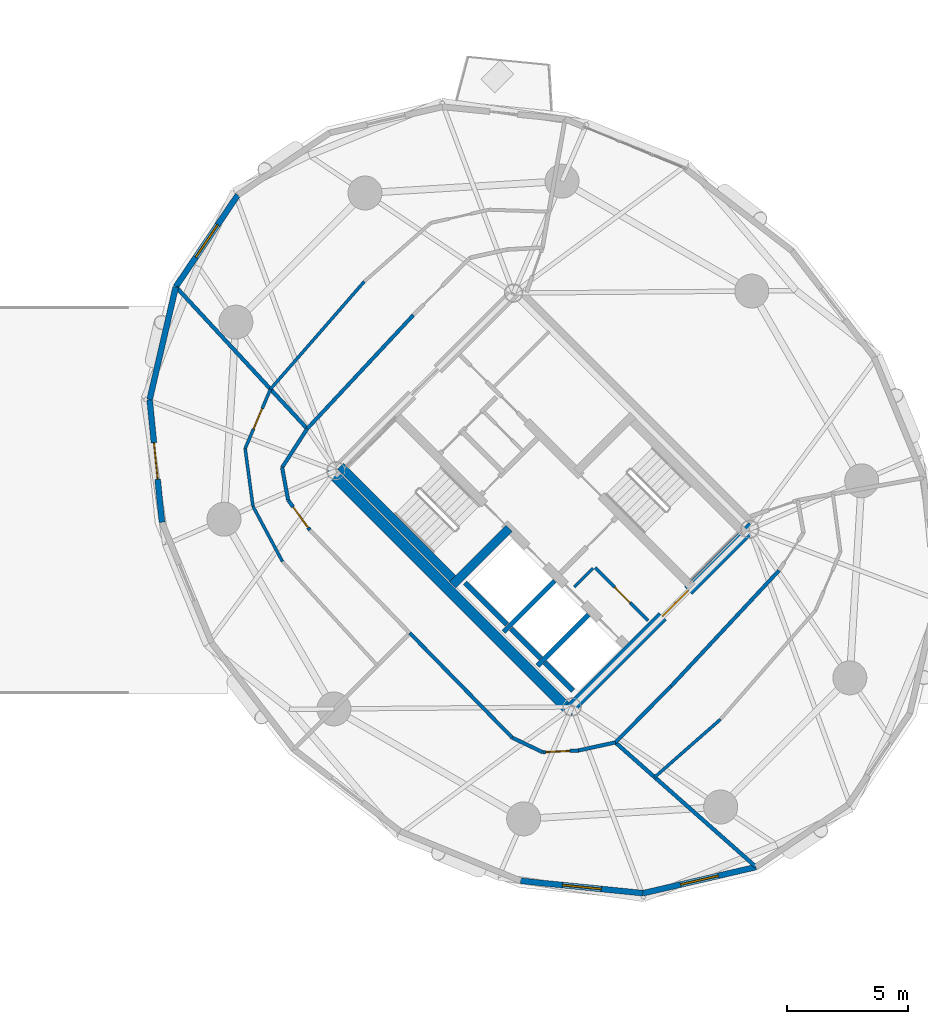
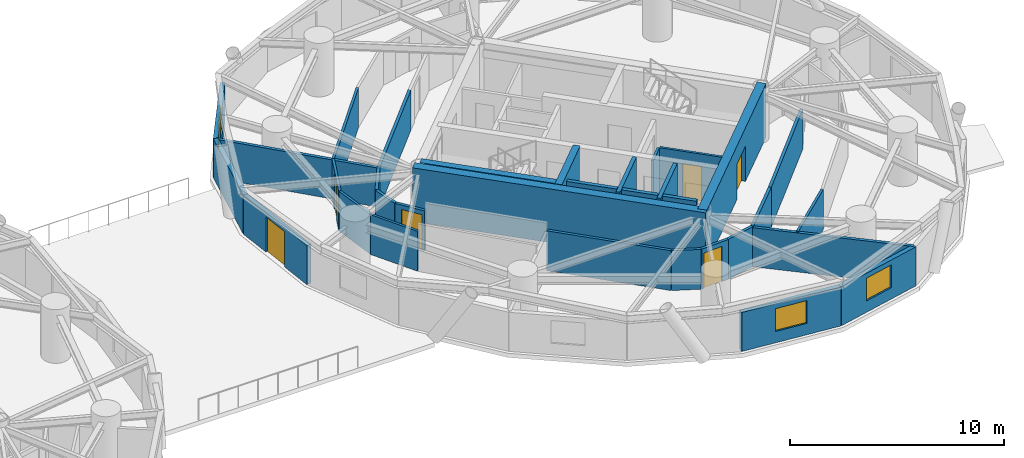
# One storey, part 12 of 19: 33 walls, 6 doors, 3 windows, 9 openings.
"""IFC4 building model written with IfcOpenShell, lengths in metres."""

import ifcopenshell
import ifcopenshell.guid

model = None  # the IFC model being written
_history = None  # IfcOwnerHistory: only IFC2X3 demands one
_inside = {}  # id of a spatial element -> (the spatial element, [elements in it])
_under = {}  # id of a project, library or spatial element -> (it, [spatial elements below it])
_declared = {}  # id of a project -> (the project, [libraries it declares])
_typed = {}  # id of a type object -> (the type object, [elements of that type])
_made_of = {}  # id of a material, layer set ... -> (it, [elements and type objects made of it])


def new_model(schema):
    """Start an empty IFC model of exactly this schema.

    Asked for "IFC4X3", IfcOpenShell would pick the latest addendum, in which some entities
    have other attributes; the version numbers below select the first issue.
    IFC2X3 requires an IfcOwnerHistory on every rooted entity: one is made here for all.
    """
    global model, _history
    if schema == "IFC4X3":
        model = ifcopenshell.file(schema_version=(4, 3, 0, 0))
    else:
        model = ifcopenshell.file(schema=schema)
    _inside.clear()
    _under.clear()
    _declared.clear()
    _typed.clear()
    _made_of.clear()
    _history = None
    if model.schema == "IFC2X3":
        org = make("IfcOrganization", Name="unknown")
        user = make(
            "IfcPersonAndOrganization",
            ThePerson=make("IfcPerson", FamilyName="unknown"),
            TheOrganization=org,
        )
        app = make(
            "IfcApplication",
            ApplicationDeveloper=org,
            Version="unknown",
            ApplicationFullName="unknown",
            ApplicationIdentifier="unknown",
        )
        _history = make(
            "IfcOwnerHistory",
            OwningUser=user,
            OwningApplication=app,
            ChangeAction="ADDED",
            CreationDate=0,
        )
    return model


def make(cls, **values):
    """One entity of the class cls with the attributes given. An attribute that is None is left unset."""
    return model.create_entity(
        cls, **{name: value for name, value in values.items() if value is not None}
    )


def rooted(cls, **values):
    """An entity with a GlobalId (a new one), such as an element, a storey or a relation."""
    return make(cls, GlobalId=ifcopenshell.guid.new(), OwnerHistory=_history, **values)


def si_unit(unit_type, name, prefix=None):
    """IfcSIUnit, for example si_unit("LENGTHUNIT", "METRE", prefix="MILLI")."""
    return make("IfcSIUnit", UnitType=unit_type, Prefix=prefix, Name=name)


def assignment(units):
    """IfcUnitAssignment: the units of a project."""
    return None if units is None else make("IfcUnitAssignment", Units=units)


def point(xyz):
    """IfcCartesianPoint."""
    return None if xyz is None else make("IfcCartesianPoint", Coordinates=xyz)


def direction(xyz):
    """IfcDirection."""
    return None if xyz is None else make("IfcDirection", DirectionRatios=xyz)


def frame(location, z_axis=None, x_axis=None):
    """IfcAxis2Placement3D, a coordinate frame: its origin and axes. An axis left out is left unset."""
    return make(
        "IfcAxis2Placement3D",
        Location=point(location),
        Axis=direction(z_axis),
        RefDirection=direction(x_axis),
    )


def frame_2d(location, x_axis=None):
    """IfcAxis2Placement2D, a coordinate frame in the plane: its origin and x axis."""
    return make(
        "IfcAxis2Placement2D", Location=point(location), RefDirection=direction(x_axis)
    )


def origin():
    """The frame at (0, 0, 0) with its axes left unset."""
    return frame((0.0, 0.0, 0.0))


def place(relative_to, where):
    """IfcLocalPlacement: puts the frame where relative to a parent placement (None: the world)."""
    return make(
        "IfcLocalPlacement", PlacementRelTo=relative_to, RelativePlacement=where
    )


def context(
    kind, dimensions, precision=None, world=None, true_north=None, identifier=None
):
    """IfcGeometricRepresentationContext, for example the 3D "Model" context."""
    return make(
        "IfcGeometricRepresentationContext",
        ContextIdentifier=identifier,
        ContextType=kind,
        CoordinateSpaceDimension=dimensions,
        Precision=precision,
        WorldCoordinateSystem=world,
        TrueNorth=true_north,
    )


def subcontext(parent, identifier, kind, view, scale=None):
    """IfcGeometricRepresentationSubContext, for example "Body" below "Model"."""
    return make(
        "IfcGeometricRepresentationSubContext",
        ContextIdentifier=identifier,
        ContextType=kind,
        ParentContext=parent,
        TargetScale=scale,
        TargetView=view,
    )


def project(units=None, contexts=None):
    """IfcProject with its units and contexts."""
    return rooted(
        "IfcProject",
        Name="project",
        RepresentationContexts=contexts,
        UnitsInContext=assignment(units),
    )


def spatial(cls, under=None, at=None, **own):
    """A site, building, storey or space (cls), placed at a placement, below another one or the project."""
    s = rooted(cls, ObjectPlacement=at, **own)
    if under is not None:
        _under.setdefault(under.id(), (under, []))[1].append(s)
    return s


def profile(cls, at=None, kind="AREA", **sizes):
    """A parametric profile (cls). Its sizes go by their IFC names, for example OverallWidth=200.0."""
    return make(cls, ProfileType=kind, Position=at, **sizes)


def rectangle(**sizes):
    """IfcRectangleProfileDef."""
    return profile("IfcRectangleProfileDef", **sizes)


def extrude(swept, where, along, depth):
    """IfcExtrudedAreaSolid: the profile swept, set in the frame where, extruded along a direction by depth."""
    return make(
        "IfcExtrudedAreaSolid",
        SweptArea=swept,
        Position=where,
        ExtrudedDirection=direction(along),
        Depth=depth,
    )


def shape(context_of_items, identifier, shape_type, items):
    """IfcShapeRepresentation: the items that make up one representation, for example the "Body"."""
    return make(
        "IfcShapeRepresentation",
        ContextOfItems=context_of_items,
        RepresentationIdentifier=identifier,
        RepresentationType=shape_type,
        Items=items,
    )


def source(mapping_origin, context_of_items, identifier, shape_type, items):
    """IfcRepresentationMap: a shape defined once, which mapped items show again and again."""
    return make(
        "IfcRepresentationMap",
        MappingOrigin=mapping_origin,
        MappedRepresentation=shape(context_of_items, identifier, shape_type, items),
    )


def transform(
    local_origin,
    x_axis=None,
    y_axis=None,
    z_axis=None,
    scale=None,
    scale2=None,
    scale3=None,
    uniform=True,
):
    """IfcCartesianTransformationOperator3D, or its non-uniform kind. x_axis, y_axis, z_axis: its Axis1, 2, 3."""
    if uniform:
        return make(
            "IfcCartesianTransformationOperator3D",
            Axis1=direction(x_axis),
            Axis2=direction(y_axis),
            LocalOrigin=point(local_origin),
            Scale=scale,
            Axis3=direction(z_axis),
        )
    return make(
        "IfcCartesianTransformationOperator3DnonUniform",
        Axis1=direction(x_axis),
        Axis2=direction(y_axis),
        LocalOrigin=point(local_origin),
        Scale=scale,
        Axis3=direction(z_axis),
        Scale2=scale2,
        Scale3=scale3,
    )


def mapped(mapping_source, mapping_target):
    """IfcMappedItem: shows the shape of a source again, moved by a transform."""
    return make(
        "IfcMappedItem", MappingSource=mapping_source, MappingTarget=mapping_target
    )


def material(Name=None, Category=None):
    """IfcMaterial."""
    return make("IfcMaterial", Name=Name, Category=Category)


def layer(
    of_material, thickness, ventilated=None, Name=None, Category=None, Priority=None
):
    """IfcMaterialLayer: one layer of a wall or slab, of a material (None: an air gap)."""
    return make(
        "IfcMaterialLayer",
        Material=of_material,
        LayerThickness=thickness,
        IsVentilated=ventilated,
        Name=Name,
        Category=Category,
        Priority=Priority,
    )


def layer_set(layers, Name=None):
    """IfcMaterialLayerSet."""
    return make("IfcMaterialLayerSet", MaterialLayers=layers, LayerSetName=Name)


def made_of(thing, what):
    """Note that an element or type object is made of a material, layer set ...; save() writes the relation."""
    if what is not None:
        _made_of.setdefault(what.id(), (what, []))[1].append(thing)
    return thing


def type_object(cls, material=None, **own):
    """A type object (cls), such as IfcWallType, which elements share."""
    return made_of(rooted(cls, **own), material)


def element(
    cls,
    number,
    at=None,
    inside=None,
    cuts=None,
    type_object=None,
    material=None,
    context=None,
    identifier="Body",
    shape_type=None,
    held_by="IfcProductDefinitionShape",
    body=None,
    shapes=None,
    **own,
):
    """One element of the class cls, such as IfcWall. Its Tag is "e" and its number.

    at: its placement. inside: the storey or other place that contains it. cuts: it is an
    opening in that element (IfcRelVoidsElement). A single representation is given by context,
    identifier, shape_type and body (its items); several are given by shapes. held_by: the class
    of the entity that holds the representations. save() writes the other relations.
    """
    e = rooted(cls, Tag="e%d" % number, ObjectPlacement=at, **own)
    if body is not None:
        shapes = [shape(context, identifier, shape_type, body)]
    if shapes is not None:
        e.Representation = make(held_by, Representations=shapes)
    if inside is not None:
        _inside.setdefault(inside.id(), (inside, []))[1].append(e)
    if cuts is not None:
        rooted(
            "IfcRelVoidsElement", RelatingBuildingElement=cuts, RelatedOpeningElement=e
        )
    if type_object is not None:
        _typed.setdefault(type_object.id(), (type_object, []))[1].append(e)
    return made_of(e, material)


def fill(opening, filler):
    """IfcRelFillsElement: the door or window that sits in an opening."""
    return rooted(
        "IfcRelFillsElement",
        RelatingOpeningElement=opening,
        RelatedBuildingElement=filler,
    )


def aggregate(whole, parts):
    """IfcRelAggregates: a whole, such as a stair, and the parts it consists of."""
    return rooted("IfcRelAggregates", RelatingObject=whole, RelatedObjects=parts)


def save(model, path):
    """Write the relations noted so far, then the file.

    IfcRelAggregates (storeys below a building ...), IfcRelContainedInSpatialStructure (elements
    in a storey), IfcRelDefinesByType, IfcRelAssociatesMaterial and IfcRelDeclares: one each for
    every whole, place, type object, material and project.
    """
    for whole, parts in _under.values():
        aggregate(whole, parts)
    for where, things in _inside.values():
        rooted(
            "IfcRelContainedInSpatialStructure",
            RelatedElements=things,
            RelatingStructure=where,
        )
    for kind, things in _typed.values():
        rooted("IfcRelDefinesByType", RelatedObjects=things, RelatingType=kind)
    for what, things in _made_of.values():
        rooted("IfcRelAssociatesMaterial", RelatedObjects=things, RelatingMaterial=what)
    for by, libraries in _declared.values():
        rooted("IfcRelDeclares", RelatingContext=by, RelatedDefinitions=libraries)
    model.write(path)


model = new_model("IFC4")

# Units and contexts
model_context = context("Model", 3, precision=1e-05, world=origin(), true_north=direction((0.0, 1.0)))
body_context = subcontext(model_context, "Body", "Model", "MODEL_VIEW")
ifc_project = project(units=[si_unit("LENGTHUNIT", "METRE"), si_unit("AREAUNIT", "SQUARE_METRE"), si_unit("VOLUMEUNIT", "CUBIC_METRE"), si_unit("PLANEANGLEUNIT", "RADIAN"), si_unit("MASSUNIT", "GRAM", prefix="KILO")], contexts=[model_context])

# Site, building, storey
site_placement = place(None, origin())
site = spatial("IfcSite", under=ifc_project, at=site_placement, CompositionType="ELEMENT")
building_placement = place(site_placement, origin())
building = spatial("IfcBuilding", under=site, at=building_placement, Name="Cununo Teusaquillo Station Towers", CompositionType="ELEMENT")
storey_placement = place(building_placement, frame((0.0, 0.0, 144.0400390625)))
storey = spatial("IfcBuildingStorey", under=building, at=storey_placement, Name="L45", CompositionType="ELEMENT", Elevation=144.0400390625)

# Walls
ifc_material_1 = material(Name="Concrete C50/60", Category="concrete")
ifc_layer_1 = layer(ifc_material_1, 0.199951171875)
ifc_layer_set_1 = layer_set([ifc_layer_1], Name="Concrete C50/60")
wall_type_1 = type_object("IfcWallType", Name="WL-CORE-200", PredefinedType="SHEAR", material=ifc_layer_set_1)
wall_1_placement = place(storey_placement, frame((55.8876953125, 19.0693359375, 0.0), z_axis=(0.0, 0.0, 1.0), x_axis=(0.707106781187, 0.707106781187, 0.0)))
element("IfcWall", 1, at=wall_1_placement, inside=storey, type_object=wall_type_1, Name="L45 Tower B Firefighting Lift Shaft South Shear Wall", PredefinedType="SHEAR", context=body_context, shape_type="SweptSolid", body=[
    extrude(rectangle(XDim=2.969970703125, YDim=0.199951171875, at=frame_2d((1.48486328125, 0.0))), origin(), (0.0, 0.0, 1.0), 3.06005859375),
])
wall_2_placement = place(storey_placement, frame((56.01513671875, 19.366455078125, 0.0), z_axis=(0.0, 0.0, 1.0), x_axis=(-0.707106781187, 0.707106781187, 0.0)))
element("IfcWall", 2, at=wall_2_placement, inside=storey, type_object=wall_type_1, Name="L45 Tower B Firefighting Lift Shaft Rear Shear Wall", PredefinedType="SHEAR", context=body_context, shape_type="SweptSolid", body=[
    extrude(rectangle(XDim=2.43994140625, YDim=0.199951171875, at=frame_2d((1.219970703125, 0.0))), origin(), (0.0, 0.0, 1.0), 3.06005859375),
])
wall_3_placement = place(storey_placement, frame((57.2841796875, 17.6728515625, 0.0), z_axis=(0.0, 0.0, 1.0), x_axis=(0.707147878904, 0.70706568108, 0.0)))
element("IfcWall", 3, at=wall_3_placement, inside=storey, type_object=wall_type_1, Name="L45 Tower B High-Rise Lift Hoistway Divider Shear Wall", PredefinedType="SHEAR", context=body_context, shape_type="SweptSolid", body=[
    extrude(rectangle(XDim=2.97021484375, YDim=0.199951171875, at=frame_2d((1.485107421875, 0.0))), origin(), (0.0, 0.0, 1.0), 3.06005859375),
])
wall_4_placement = place(storey_placement, frame((57.41162109375, 17.969970703125, 0.0), z_axis=(0.0, 0.0, 1.0), x_axis=(-0.707106781187, 0.707106781187, 0.0)))
element("IfcWall", 4, at=wall_4_placement, inside=storey, type_object=wall_type_1, Name="L45 Tower B High-Rise Lift 2 Shaft Rear Shear Wall", PredefinedType="SHEAR", context=body_context, shape_type="SweptSolid", body=[
    extrude(rectangle(XDim=1.73486328125, YDim=0.199951171875, at=frame_2d((0.867431640625, 0.0))), origin(), (0.0, 0.0, 1.0), 3.06005859375),
])
wall_5_placement = place(storey_placement, frame((58.7373046875, 16.64404296875, 0.0), z_axis=(0.0, 0.0, 1.0), x_axis=(-0.707032117043, 0.707181437447, 0.0)))
element("IfcWall", 5, at=wall_5_placement, inside=storey, type_object=wall_type_1, Name="L45 Tower B High-Rise Lift 1 Shaft Rear Shear Wall", PredefinedType="SHEAR", context=body_context, shape_type="SweptSolid", body=[
    extrude(rectangle(XDim=1.635009765625, YDim=0.199951171875, at=frame_2d((0.8173828125, 0.0))), origin(), (0.0, 0.0, 1.0), 3.06005859375),
])
ifc_material_2 = material(Name="Concrete C50/60", Category="concrete")
ifc_layer_2 = layer(ifc_material_2, 0.35009765625)
ifc_layer_set_2 = layer_set([ifc_layer_2], Name="Concrete C50/60")
wall_type_2 = type_object("IfcWallType", Name="WL-CORE-350", PredefinedType="SHEAR", material=ifc_layer_set_2)
wall_6_placement = place(storey_placement, frame((53.922119140625, 21.14111328125, 0.0), z_axis=(0.0, 0.0, 1.0), x_axis=(-0.707088616009, 0.707124945897, 0.0)))
element("IfcWall", 6, at=wall_6_placement, inside=storey, type_object=wall_type_2, Name="L45 Tower B Core Shear Wall ST1W", PredefinedType="SHEAR", context=body_context, shape_type="SweptSolid", body=[
    extrude(rectangle(XDim=6.72021484375, YDim=0.35009765625, at=frame_2d((3.360107421875, 0.0))), origin(), (0.0, 0.0, 1.0), 3.06005859375),
])
wall_7_placement = place(storey_placement, frame((53.7841796875, 21.00341796875, 0.0), z_axis=(0.0, 0.0, 1.0), x_axis=(0.707106781187, 0.707106781187, 0.0)))
element("IfcWall", 7, at=wall_7_placement, inside=storey, type_object=wall_type_2, Name="L45 Tower B Core Shear Wall ST1S", PredefinedType="SHEAR", context=body_context, shape_type="SweptSolid", body=[
    extrude(rectangle(XDim=3.284912109375, YDim=0.35009765625, at=frame_2d((1.642578125, 0.0))), origin(), (0.0, 0.0, 1.0), 3.06005859375),
])
ifc_material_3 = material(Name="Concrete C60/75", Category="concrete")
ifc_layer_3 = layer(ifc_material_3, 0.449951171875)
ifc_layer_set_3 = layer_set([ifc_layer_3], Name="Concrete C60/75")
wall_type_3 = type_object("IfcWallType", Name="WL-CORE-450", PredefinedType="SHEAR", material=ifc_layer_set_3)
wall_8_placement = place(storey_placement, frame((58.7373046875, 15.696533203125, 0.0), z_axis=(0.0, 0.0, 1.0), x_axis=(-0.707106781187, 0.707106781187, 0.0)))
element("IfcWall", 8, at=wall_8_placement, inside=storey, type_object=wall_type_3, Name="L45 Tower B Core Shear Wall W", PredefinedType="SHEAR", context=body_context, shape_type="SweptSolid", body=[
    extrude(rectangle(XDim=14.19970703125, YDim=0.449951171875, at=frame_2d((7.099853515625, 0.0))), origin(), (0.0, 0.0, 1.0), 3.06005859375),
])

# Wall, opening, door
wall_9_placement = place(storey_placement, frame((58.578369140625, 15.855712890625, 0.0), z_axis=(0.0, 0.0, 1.0), x_axis=(0.707106781187, 0.707106781187, 0.0)))
wall_9 = element("IfcWall", 9, at=wall_9_placement, inside=storey, type_object=wall_type_3, Name="L45 Tower B Core Shear Wall S", PredefinedType="SHEAR", context=body_context, shape_type="SweptSolid", body=[
    extrude(rectangle(XDim=10.69970703125, YDim=0.449951171875, at=frame_2d((5.349853515625, 0.0))), origin(), (0.0, 0.0, 1.0), 3.06005859375),
])
shared_shape_1 = source(origin(), body_context, "Body", "SweptSolid", [
    extrude(rectangle(XDim=1.5, YDim=2.02001953125, at=frame_2d((0.75, 1.010009765625))), frame((0.0, 0.23486328125, 0.0), z_axis=(0.0, -1.0, 0.0), x_axis=(1.0, 0.0, 0.0)), (0.0, 0.0, 1.0), 0.469970703125),
])
opening_1_placement = place(wall_9_placement, frame((5.449951171875, 0.0, 0.0)))
opening_1 = element("IfcOpeningElement", 10, at=opening_1_placement, cuts=wall_9, Name="Opening D-LB1", PredefinedType="OPENING", context=body_context, shape_type="MappedRepresentation", body=[
    mapped(shared_shape_1, transform((0.0, 0.0, 0.0), x_axis=(1.0, 0.0, 0.0), y_axis=(0.0, 1.0, 0.0), z_axis=(0.0, 0.0, 1.0), scale=1.0)),
])
ifc_material_4 = material(Name="Galvanised fire-rated hollow steel door assembly", Category="steel")
door_type_1 = type_object("IfcDoorType", Name="DR-LOBBY-1500", OperationType="DOUBLE_DOOR_SINGLE_SWING", PredefinedType="DOOR", material=ifc_material_4)
shared_shape_2 = source(origin(), body_context, "Body", "SweptSolid", [
    extrude(rectangle(XDim=1.5, YDim=2.02001953125, at=frame_2d((0.75, 1.010009765625))), frame((0.0, 0.02490234375, 0.0), z_axis=(0.0, -1.0, 0.0), x_axis=(1.0, 0.0, 0.0)), (0.0, 0.0, 1.0), 0.050048828125),
])
door_1_placement = place(opening_1_placement, origin())
door_1 = element("IfcDoor", 11, at=door_1_placement, inside=storey, type_object=door_type_1, Name="L45 Tower B South Core Lift Lobby Door", OperationType="DOUBLE_DOOR_SINGLE_SWING", OverallHeight=2.02001953125, OverallWidth=1.5, PredefinedType="DOOR", context=body_context, shape_type="MappedRepresentation", body=[
    mapped(shared_shape_2, transform((0.0, 0.0, 0.0), x_axis=(1.0, 0.0, 0.0), y_axis=(0.0, 1.0, 0.0), z_axis=(0.0, 0.0, 1.0), scale=1.0)),
])
fill(opening_1, door_1)

# Wall, opening, window
ifc_material_5 = material(Name="Precast concrete C40/50", Category="concrete")
ifc_layer_4 = layer(ifc_material_5, 0.239990234375)
ifc_layer_set_4 = layer_set([ifc_layer_4], Name="Precast concrete C40/50")
wall_type_4 = type_object("IfcWallType", Name="WL-EXT-240", PredefinedType="SOLIDWALL", material=ifc_layer_set_4)
wall_10_placement = place(storey_placement, frame((42.3779296875, 33.27880859375, 0.0), z_axis=(0.0, 0.0, 1.0), x_axis=(0.559635286042, 0.828739009952, 0.0)))
wall_10 = element("IfcWall", 12, at=wall_10_placement, inside=storey, type_object=wall_type_4, Name="L45 Tower B Exterior Facade Wall C05", PredefinedType="SOLIDWALL", context=body_context, shape_type="SweptSolid", body=[
    extrude(rectangle(XDim=4.56884765625, YDim=0.239990234375, at=frame_2d((2.284423828125, 0.0))), origin(), (0.0, 0.0, 1.0), 2.22900390625),
])
shared_shape_3 = source(origin(), body_context, "Body", "SweptSolid", [
    extrude(rectangle(XDim=1.60009765625, YDim=1.300048828125, at=frame_2d((0.800048828125, 0.64990234375))), frame((0.0, 0.1298828125, 0.0), z_axis=(0.0, -1.0, 0.0), x_axis=(1.0, 0.0, 0.0)), (0.0, 0.0, 1.0), 0.260009765625),
])
opening_2_placement = place(wall_10_placement, frame((1.48388671875, 0.0, 0.64990234375)))
opening_2 = element("IfcOpeningElement", 13, at=opening_2_placement, cuts=wall_10, Name="Opening WN-03", PredefinedType="OPENING", context=body_context, shape_type="MappedRepresentation", body=[
    mapped(shared_shape_3, transform((0.0, 0.0, 0.0), x_axis=(1.0, 0.0, 0.0), y_axis=(0.0, 1.0, 0.0), z_axis=(0.0, 0.0, 1.0), scale=1.0)),
])
ifc_material_6 = material(Name="Ceramic-fritted dark low-E double glazing", Category="glass")
window_type = type_object("IfcWindowType", Name="WIN-CORN-1600", PartitioningType="SINGLE_PANEL", PredefinedType="WINDOW", material=ifc_material_6)
shared_shape_4 = source(origin(), body_context, "Body", "SweptSolid", [
    extrude(rectangle(XDim=1.60009765625, YDim=1.300048828125, at=frame_2d((0.800048828125, 0.64990234375))), frame((0.0, 0.030029296875, 0.0), z_axis=(0.0, -1.0, 0.0), x_axis=(1.0, 0.0, 0.0)), (0.0, 0.0, 1.0), 0.06005859375),
])
window_1_placement = place(opening_2_placement, origin())
window_1 = element("IfcWindow", 14, at=window_1_placement, inside=storey, type_object=window_type, Name="L45 Tower B Facade Window C05", OverallHeight=1.300048828125, OverallWidth=1.60009765625, PartitioningType="SINGLE_PANEL", PredefinedType="WINDOW", context=body_context, shape_type="MappedRepresentation", body=[
    mapped(shared_shape_4, transform((0.0, 0.0, 0.0), x_axis=(1.0, 0.0, 0.0), y_axis=(0.0, 1.0, 0.0), z_axis=(0.0, 0.0, 1.0), scale=1.0)),
])
fill(opening_2, window_1)

# Wall
wall_11_placement = place(storey_placement, frame((41.3017578125, 28.6328125, 0.0), z_axis=(0.0, 0.0, 1.0), x_axis=(0.225659540039, 0.974206226622, 0.0)))
element("IfcWall", 15, at=wall_11_placement, inside=storey, type_object=wall_type_4, Name="L45 Tower B Exterior Facade Wall C06", PredefinedType="SOLIDWALL", context=body_context, shape_type="SweptSolid", body=[
    extrude(rectangle(XDim=4.76904296875, YDim=0.239990234375, at=frame_2d((2.384521484375, 0.0))), origin(), (0.0, 0.0, 1.0), 2.22900390625),
])

# Wall, opening, door
wall_12_placement = place(storey_placement, frame((41.810791015625, 23.582275390625, 0.0), z_axis=(0.0, 0.0, 1.0), x_axis=(-0.100279889424, 0.994959267396, 0.0)))
wall_12 = element("IfcWall", 16, at=wall_12_placement, inside=storey, type_object=wall_type_4, Name="L45 Tower B Exterior Facade Wall C07", PredefinedType="SOLIDWALL", context=body_context, shape_type="SweptSolid", body=[
    extrude(rectangle(XDim=5.076171875, YDim=0.239990234375, at=frame_2d((2.5380859375, 0.0))), origin(), (0.0, 0.0, 1.0), 2.22900390625),
])
shared_shape_5 = source(origin(), body_context, "Body", "SweptSolid", [
    extrude(rectangle(XDim=1.5, YDim=2.014892578125, at=frame_2d((0.75, 1.00732421875))), frame((0.0, 0.1298828125, 0.0), z_axis=(0.0, -1.0, 0.0), x_axis=(1.0, 0.0, 0.0)), (0.0, 0.0, 1.0), 0.260009765625),
])
opening_3_placement = place(wall_12_placement, frame((1.7880859375, 0.0, 0.0)))
opening_3 = element("IfcOpeningElement", 17, at=opening_3_placement, cuts=wall_12, Name="Opening ED-04", PredefinedType="OPENING", context=body_context, shape_type="MappedRepresentation", body=[
    mapped(shared_shape_5, transform((0.0, 0.0, 0.0), x_axis=(1.0, 0.0, 0.0), y_axis=(0.0, 1.0, 0.0), z_axis=(0.0, 0.0, 1.0), scale=1.0)),
])
ifc_material_7 = material(Name="Anodised dark bronze aluminium EN AW-6063-T6", Category="aluminium")
door_type_2 = type_object("IfcDoorType", Name="DR-EXT-TERR", OperationType="DOUBLE_DOOR_SINGLE_SWING", PredefinedType="DOOR", material=ifc_material_7)
shared_shape_6 = source(origin(), body_context, "Body", "SweptSolid", [
    extrude(rectangle(XDim=1.5, YDim=2.014892578125, at=frame_2d((0.75, 1.00732421875))), frame((0.0, 0.02490234375, 0.0), z_axis=(0.0, -1.0, 0.0), x_axis=(1.0, 0.0, 0.0)), (0.0, 0.0, 1.0), 0.050048828125),
])
door_2_placement = place(opening_3_placement, origin())
door_2 = element("IfcDoor", 18, at=door_2_placement, inside=storey, type_object=door_type_2, Name="L45 Mid-Bridge Roof Terrace Access Door T2", OperationType="DOUBLE_DOOR_SINGLE_SWING", OverallHeight=2.014892578125, OverallWidth=1.5, PredefinedType="DOOR", context=body_context, shape_type="MappedRepresentation", body=[
    mapped(shared_shape_6, transform((0.0, 0.0, 0.0), x_axis=(1.0, 0.0, 0.0), y_axis=(0.0, 1.0, 0.0), z_axis=(0.0, 0.0, 1.0), scale=1.0)),
])
fill(opening_3, door_2)

# Wall, opening, window
wall_13_placement = place(storey_placement, frame((61.6328125, 8.3017578125, 0.0), z_axis=(0.0, 0.0, 1.0), x_axis=(-0.994959267396, 0.100279889424, 0.0)))
wall_13 = element("IfcWall", 19, at=wall_13_placement, inside=storey, type_object=wall_type_4, Name="L45 Tower B Exterior Facade Wall C12", PredefinedType="SOLIDWALL", context=body_context, shape_type="SweptSolid", body=[
    extrude(rectangle(XDim=5.076171875, YDim=0.239990234375, at=frame_2d((2.5380859375, 0.0))), origin(), (0.0, 0.0, 1.0), 2.22900390625),
])
opening_4_placement = place(wall_13_placement, frame((1.738037109375, 0.0, 0.64990234375)))
opening_4 = element("IfcOpeningElement", 20, at=opening_4_placement, cuts=wall_13, Name="Opening WN-03", PredefinedType="OPENING", context=body_context, shape_type="MappedRepresentation", body=[
    mapped(shared_shape_3, transform((0.0, 0.0, 0.0), x_axis=(1.0, 0.0, 0.0), y_axis=(0.0, 1.0, 0.0), z_axis=(0.0, 0.0, 1.0), scale=1.0)),
])
window_2_placement = place(opening_4_placement, origin())
window_2 = element("IfcWindow", 21, at=window_2_placement, inside=storey, type_object=window_type, Name="L45 Tower B Facade Window C12", OverallHeight=1.300048828125, OverallWidth=1.60009765625, PartitioningType="SINGLE_PANEL", PredefinedType="WINDOW", context=body_context, shape_type="MappedRepresentation", body=[
    mapped(shared_shape_4, transform((0.0, 0.0, 0.0), x_axis=(1.0, 0.0, 0.0), y_axis=(0.0, 1.0, 0.0), z_axis=(0.0, 0.0, 1.0), scale=1.0)),
])
fill(opening_4, window_2)

wall_14_placement = place(storey_placement, frame((66.27880859375, 9.3779296875, 0.0), z_axis=(0.0, 0.0, 1.0), x_axis=(-0.974206226622, -0.225659540039, 0.0)))
wall_14 = element("IfcWall", 22, at=wall_14_placement, inside=storey, type_object=wall_type_4, Name="L45 Tower B Exterior Facade Wall C13", PredefinedType="SOLIDWALL", context=body_context, shape_type="SweptSolid", body=[
    extrude(rectangle(XDim=4.76904296875, YDim=0.239990234375, at=frame_2d((2.384521484375, 0.0))), origin(), (0.0, 0.0, 1.0), 2.22900390625),
])
opening_5_placement = place(wall_14_placement, frame((1.5849609375, 0.0, 0.64990234375)))
opening_5 = element("IfcOpeningElement", 23, at=opening_5_placement, cuts=wall_14, Name="Opening WN-03", PredefinedType="OPENING", context=body_context, shape_type="MappedRepresentation", body=[
    mapped(shared_shape_3, transform((0.0, 0.0, 0.0), x_axis=(1.0, 0.0, 0.0), y_axis=(0.0, 1.0, 0.0), z_axis=(0.0, 0.0, 1.0), scale=1.0)),
])
window_3_placement = place(opening_5_placement, origin())
window_3 = element("IfcWindow", 24, at=window_3_placement, inside=storey, type_object=window_type, Name="L45 Tower B Facade Window C13", OverallHeight=1.300048828125, OverallWidth=1.60009765625, PartitioningType="SINGLE_PANEL", PredefinedType="WINDOW", context=body_context, shape_type="MappedRepresentation", body=[
    mapped(shared_shape_4, transform((0.0, 0.0, 0.0), x_axis=(1.0, 0.0, 0.0), y_axis=(0.0, 1.0, 0.0), z_axis=(0.0, 0.0, 1.0), scale=1.0)),
])
fill(opening_5, window_3)

# Wall, opening, door
ifc_material_8 = material(Name="Fire-rated gypsum plasterboard partition assembly", Category="gypsum")
ifc_layer_5 = layer(ifc_material_8, 0.125)
ifc_layer_set_5 = layer_set([ifc_layer_5], Name="Fire-rated gypsum plasterboard partition assembly")
wall_type_5 = type_object("IfcWallType", Name="WL-PART-125", PredefinedType="PARTITIONING", material=ifc_layer_set_5)
wall_15_placement = place(storey_placement, frame((61.834716796875, 19.529052734375, 0.0), z_axis=(0.0, 0.0, 1.0), x_axis=(-0.707146413884, 0.707067146267, 0.0)))
wall_15 = element("IfcWall", 25, at=wall_15_placement, inside=storey, type_object=wall_type_5, Name="L45 Tower B South-West Tall Store East Wall", PredefinedType="PARTITIONING", context=body_context, shape_type="SweptSolid", body=[
    extrude(rectangle(XDim=3.079833984375, YDim=0.125, at=frame_2d((1.5400390625, 0.0))), origin(), (0.0, 0.0, 1.0), 2.705078125),
])
shared_shape_7 = source(origin(), body_context, "Body", "SweptSolid", [
    extrude(rectangle(XDim=0.89990234375, YDim=2.0048828125, at=frame_2d((0.449951171875, 1.00244140625))), frame((0.0, 0.072509765625, 0.0), z_axis=(0.0, -1.0, 0.0), x_axis=(1.0, 0.0, 0.0)), (0.0, 0.0, 1.0), 0.14501953125),
])
opening_6_placement = place(wall_15_placement, frame((1.050048828125, 0.0, 0.0)))
opening_6 = element("IfcOpeningElement", 26, at=opening_6_placement, cuts=wall_15, Name="Opening D-SR1", PredefinedType="OPENING", context=body_context, shape_type="MappedRepresentation", body=[
    mapped(shared_shape_7, transform((0.0, 0.0, 0.0), x_axis=(1.0, 0.0, 0.0), y_axis=(0.0, 1.0, 0.0), z_axis=(0.0, 0.0, 1.0), scale=1.0)),
])
ifc_material_9 = material(Name="Galvanised fire-rated hollow steel door assembly", Category="steel")
door_type_3 = type_object("IfcDoorType", Name="DR-STORE-900", OperationType="NOTDEFINED", PredefinedType="DOOR", material=ifc_material_9)
shared_shape_8 = source(origin(), body_context, "Body", "SweptSolid", [
    extrude(rectangle(XDim=0.89990234375, YDim=2.0048828125, at=frame_2d((0.449951171875, 1.00244140625))), frame((0.0, 0.02490234375, 0.0), z_axis=(0.0, -1.0, 0.0), x_axis=(1.0, 0.0, 0.0)), (0.0, 0.0, 1.0), 0.050048828125),
])
door_3_placement = place(opening_6_placement, origin())
door_3 = element("IfcDoor", 27, at=door_3_placement, inside=storey, type_object=door_type_3, Name="L45 Tower B South Cleaners Store Door", OperationType="SINGLE_SWING_RIGHT", OverallHeight=2.0048828125, OverallWidth=0.89990234375, PredefinedType="DOOR", context=body_context, shape_type="MappedRepresentation", body=[
    mapped(shared_shape_8, transform((0.0, 0.0, 0.0), x_axis=(1.0, 0.0, 0.0), y_axis=(0.0, 1.0, 0.0), z_axis=(0.0, 0.0, 1.0), scale=1.0)),
])
fill(opening_6, door_3)

# Walls
wall_16_placement = place(storey_placement, frame((58.7939453125, 20.9150390625, 0.0), z_axis=(0.0, 0.0, 1.0), x_axis=(0.707106781187, 0.707106781187, 0.0)))
element("IfcWall", 28, at=wall_16_placement, inside=storey, type_object=wall_type_5, Name="L45 Tower B South-West Tall Store North Wall", PredefinedType="PARTITIONING", context=body_context, shape_type="SweptSolid", body=[
    extrude(rectangle(XDim=1.10009765625, YDim=0.125, at=frame_2d((0.550048828125, 0.0))), origin(), (0.0, 0.0, 1.0), 2.705078125),
])
wall_17_placement = place(storey_placement, frame((50.143310546875, 33.498291015625, 0.0), z_axis=(0.0, 0.0, 1.0), x_axis=(-0.657179989236, -0.753733680916, 0.0)))
element("IfcWall", 29, at=wall_17_placement, inside=storey, type_object=wall_type_5, Name="L45 Tower B Belvedere Botanical Conservatory Salon Concentric Partition Wall C05", PredefinedType="PARTITIONING", context=body_context, shape_type="SweptSolid", body=[
    extrude(rectangle(XDim=5.87646484375, YDim=0.125, at=frame_2d((2.938232421875, 0.0))), origin(), (0.0, 0.0, 1.0), 2.27490234375),
])

# Wall, opening, door
wall_18_placement = place(storey_placement, frame((46.281494140625, 29.069091796875, 0.0), z_axis=(0.0, 0.0, 1.0), x_axis=(-0.392313487189, -0.919831575762, 0.0)))
wall_18 = element("IfcWall", 30, at=wall_18_placement, inside=storey, type_object=wall_type_5, Name="L45 Tower B Andean Hydrotherapy & Movement Hall Concentric Partition Wall C06", PredefinedType="PARTITIONING", context=body_context, shape_type="SweptSolid", body=[
    extrude(rectangle(XDim=2.66162109375, YDim=0.125, at=frame_2d((1.330810546875, 0.0))), origin(), (0.0, 0.0, 1.0), 2.27490234375),
])
opening_7_placement = place(wall_18_placement, frame((0.880859375, 0.0, 0.0)))
opening_7 = element("IfcOpeningElement", 31, at=opening_7_placement, cuts=wall_18, Name="Opening D-IN1", PredefinedType="OPENING", context=body_context, shape_type="MappedRepresentation", body=[
    mapped(shared_shape_7, transform((0.0, 0.0, 0.0), x_axis=(1.0, 0.0, 0.0), y_axis=(0.0, 1.0, 0.0), z_axis=(0.0, 0.0, 1.0), scale=1.0)),
])
ifc_material_10 = material(Name="Acoustic solid-core hardwood leaf assembly", Category="wood")
door_type_4 = type_object("IfcDoorType", Name="DR-INT-900", OperationType="NOTDEFINED", PredefinedType="DOOR", material=ifc_material_10)
door_4_placement = place(opening_7_placement, origin())
door_4 = element("IfcDoor", 32, at=door_4_placement, inside=storey, type_object=door_type_4, Name="L45 Tower B Andean Hydrotherapy & Movement Hall Connecting Door", OperationType="SINGLE_SWING_RIGHT", OverallHeight=2.0048828125, OverallWidth=0.89990234375, PredefinedType="DOOR", context=body_context, shape_type="MappedRepresentation", body=[
    mapped(shared_shape_8, transform((0.0, 0.0, 0.0), x_axis=(1.0, 0.0, 0.0), y_axis=(0.0, 1.0, 0.0), z_axis=(0.0, 0.0, 1.0), scale=1.0)),
])
fill(opening_7, door_4)

# Walls
wall_19_placement = place(storey_placement, frame((45.2373046875, 26.620849609375, 0.0), z_axis=(0.0, 0.0, 1.0), x_axis=(0.133669484876, -0.991025967779, 0.0)))
element("IfcWall", 33, at=wall_19_placement, inside=storey, type_object=wall_type_5, Name="L45 Tower B Andean Hydrotherapy & Movement Hall Concentric Partition Wall C07", PredefinedType="PARTITIONING", context=body_context, shape_type="SweptSolid", body=[
    extrude(rectangle(XDim=2.39990234375, YDim=0.125, at=frame_2d((1.199951171875, 0.0))), origin(), (0.0, 0.0, 1.0), 2.27490234375),
])
wall_20_placement = place(storey_placement, frame((45.55810546875, 24.242431640625, 0.0), z_axis=(0.0, 0.0, 1.0), x_axis=(0.471241457076, -0.88200424553, 0.0)))
element("IfcWall", 34, at=wall_20_placement, inside=storey, type_object=wall_type_5, Name="L45 Tower B Andean Hydrotherapy & Movement Hall Concentric Partition Wall C08", PredefinedType="PARTITIONING", context=body_context, shape_type="SweptSolid", body=[
    extrude(rectangle(XDim=2.57958984375, YDim=0.125, at=frame_2d((1.289794921875, 0.0))), origin(), (0.0, 0.0, 1.0), 2.27490234375),
])
wall_21_placement = place(storey_placement, frame((62.107177734375, 13.080810546875, 0.0), z_axis=(0.0, 0.0, 1.0), x_axis=(0.751158800718, 0.660121546462, 0.0)))
element("IfcWall", 35, at=wall_21_placement, inside=storey, type_object=wall_type_5, Name="L45 Tower B Belvedere Tea & Reading Club Concentric Partition Wall C14", PredefinedType="PARTITIONING", context=body_context, shape_type="SweptSolid", body=[
    extrude(rectangle(XDim=3.609619140625, YDim=0.125, at=frame_2d((1.8046875, 0.0))), origin(), (0.0, 0.0, 1.0), 2.27490234375),
])
ifc_material_11 = material(Name="Fire-rated gypsum plasterboard partition assembly", Category="gypsum")
ifc_layer_6 = layer(ifc_material_11, 0.14990234375)
ifc_layer_set_6 = layer_set([ifc_layer_6], Name="Fire-rated gypsum plasterboard partition assembly")
wall_type_6 = type_object("IfcWallType", Name="WL-PART-150", PredefinedType="PARTITIONING", material=ifc_layer_set_6)
wall_22_placement = place(storey_placement, frame((52.163330078125, 32.11669921875, 0.0), z_axis=(0.0, 0.0, 1.0), x_axis=(-0.682485296115, -0.730899323154, 0.0)))
element("IfcWall", 36, at=wall_22_placement, inside=storey, type_object=wall_type_6, Name="L45 Tower B Corridor Ring Wall C05", PredefinedType="PARTITIONING", context=body_context, shape_type="SweptSolid", body=[
    extrude(rectangle(XDim=6.404296875, YDim=0.14990234375, at=frame_2d((3.2021484375, 0.0))), origin(), (0.0, 0.0, 1.0), 2.27490234375),
])
wall_23_placement = place(storey_placement, frame((47.79248046875, 27.435791015625, 0.0), z_axis=(0.0, 0.0, 1.0), x_axis=(-0.543086162542, -0.839676973637, 0.0)))
element("IfcWall", 37, at=wall_23_placement, inside=storey, type_object=wall_type_6, Name="L45 Tower B Corridor Ring Wall C06", PredefinedType="PARTITIONING", context=body_context, shape_type="SweptSolid", body=[
    extrude(rectangle(XDim=1.900634765625, YDim=0.14990234375, at=frame_2d((0.9501953125, 0.0))), origin(), (0.0, 0.0, 1.0), 2.27490234375),
])
wall_24_placement = place(storey_placement, frame((46.76025390625, 25.83984375, 0.0), z_axis=(0.0, 0.0, 1.0), x_axis=(0.181230731673, -0.983440604153, 0.0)))
element("IfcWall", 38, at=wall_24_placement, inside=storey, type_object=wall_type_6, Name="L45 Tower B Corridor Ring Wall C07", PredefinedType="PARTITIONING", context=body_context, shape_type="SweptSolid", body=[
    extrude(rectangle(XDim=1.36474609375, YDim=0.14990234375, at=frame_2d((0.682373046875, 0.0))), origin(), (0.0, 0.0, 1.0), 2.27490234375),
])

# Wall, opening, door
wall_25_placement = place(storey_placement, frame((47.007568359375, 24.497802734375, 0.0), z_axis=(0.0, 0.0, 1.0), x_axis=(0.586941299514, -0.809629489906, 0.0)))
wall_25 = element("IfcWall", 39, at=wall_25_placement, inside=storey, type_object=wall_type_6, Name="L45 Tower B Corridor Ring Wall C08", PredefinedType="PARTITIONING", context=body_context, shape_type="SweptSolid", body=[
    extrude(rectangle(XDim=1.522705078125, YDim=0.14990234375, at=frame_2d((0.76123046875, 0.0))), origin(), (0.0, 0.0, 1.0), 2.27490234375),
])
shared_shape_9 = source(origin(), body_context, "Body", "SweptSolid", [
    extrude(rectangle(XDim=1.050048828125, YDim=2.014892578125, at=frame_2d((0.52490234375, 1.00732421875))), frame((0.0, 0.0849609375, 0.0), z_axis=(0.0, -1.0, 0.0), x_axis=(1.0, 0.0, 0.0)), (0.0, 0.0, 1.0), 0.169921875),
])
opening_8_placement = place(wall_25_placement, frame((0.352783203125, 0.0, 0.0)))
opening_8 = element("IfcOpeningElement", 40, at=opening_8_placement, cuts=wall_25, Name="Opening D-SU1", PredefinedType="OPENING", context=body_context, shape_type="MappedRepresentation", body=[
    mapped(shared_shape_9, transform((0.0, 0.0, 0.0), x_axis=(1.0, 0.0, 0.0), y_axis=(0.0, 1.0, 0.0), z_axis=(0.0, 0.0, 1.0), scale=1.0)),
])
ifc_material_12 = material(Name="Acoustic solid-core hardwood leaf assembly", Category="wood")
door_type_5 = type_object("IfcDoorType", Name="DR-SUITE-1050", OperationType="NOTDEFINED", PredefinedType="DOOR", material=ifc_material_12)
shared_shape_10 = source(origin(), body_context, "Body", "SweptSolid", [
    extrude(rectangle(XDim=1.050048828125, YDim=2.014892578125, at=frame_2d((0.52490234375, 1.00732421875))), frame((0.0, 0.02490234375, 0.0), z_axis=(0.0, -1.0, 0.0), x_axis=(1.0, 0.0, 0.0)), (0.0, 0.0, 1.0), 0.050048828125),
])
door_5_placement = place(opening_8_placement, origin())
door_5 = element("IfcDoor", 41, at=door_5_placement, inside=storey, type_object=door_type_5, Name="L45 Tower B Andean Hydrotherapy & Movement Hall Entrance Door", OperationType="SINGLE_SWING_LEFT", OverallHeight=2.014892578125, OverallWidth=1.050048828125, PredefinedType="DOOR", context=body_context, shape_type="MappedRepresentation", body=[
    mapped(shared_shape_10, transform((0.0, 0.0, 0.0), x_axis=(1.0, 0.0, 0.0), y_axis=(0.0, 1.0, 0.0), z_axis=(0.0, 0.0, 1.0), scale=1.0)),
])
fill(opening_8, door_5)

# Walls
wall_26_placement = place(storey_placement, frame((52.02001953125, 19.02001953125, 0.0), z_axis=(0.0, 0.0, 1.0), x_axis=(0.699456449804, -0.71467522332, 0.0)))
element("IfcWall", 42, at=wall_26_placement, inside=storey, type_object=wall_type_6, Name="L45 Tower B Corridor Ring Wall C10", PredefinedType="PARTITIONING", context=body_context, shape_type="SweptSolid", body=[
    extrude(rectangle(XDim=6.03173828125, YDim=0.14990234375, at=frame_2d((3.015869140625, 0.0))), origin(), (0.0, 0.0, 1.0), 2.27490234375),
])
wall_27_placement = place(storey_placement, frame((56.239013671875, 14.709228515625, 0.0), z_axis=(0.0, 0.0, 1.0), x_axis=(0.902374219125, -0.430953325383, 0.0)))
element("IfcWall", 43, at=wall_27_placement, inside=storey, type_object=wall_type_6, Name="L45 Tower B Corridor Ring Wall C11", PredefinedType="PARTITIONING", context=body_context, shape_type="SweptSolid", body=[
    extrude(rectangle(XDim=1.3935546875, YDim=0.14990234375, at=frame_2d((0.69677734375, 0.0))), origin(), (0.0, 0.0, 1.0), 2.27490234375),
])

# Wall, opening, door
wall_28_placement = place(storey_placement, frame((57.49658203125, 14.108642578125, 0.0), z_axis=(0.0, 0.0, 1.0), x_axis=(0.998828286318, 0.048394777109, 0.0)))
wall_28 = element("IfcWall", 44, at=wall_28_placement, inside=storey, type_object=wall_type_6, Name="L45 Tower B Corridor Ring Wall C12", PredefinedType="PARTITIONING", context=body_context, shape_type="SweptSolid", body=[
    extrude(rectangle(XDim=1.468017578125, YDim=0.14990234375, at=frame_2d((0.73388671875, 0.0))), origin(), (0.0, 0.0, 1.0), 2.27490234375),
])
shared_shape_11 = source(origin(), body_context, "Body", "SweptSolid", [
    extrude(rectangle(XDim=1.0, YDim=2.014892578125, at=frame_2d((0.5, 1.00732421875))), frame((0.0, 0.0849609375, 0.0), z_axis=(0.0, -1.0, 0.0), x_axis=(1.0, 0.0, 0.0)), (0.0, 0.0, 1.0), 0.169921875),
])
opening_9_placement = place(wall_28_placement, frame((0.1201171875, 0.0, 0.0)))
opening_9 = element("IfcOpeningElement", 45, at=opening_9_placement, cuts=wall_28, Name="Opening D-AC1", PredefinedType="OPENING", context=body_context, shape_type="MappedRepresentation", body=[
    mapped(shared_shape_11, transform((0.0, 0.0, 0.0), x_axis=(1.0, 0.0, 0.0), y_axis=(0.0, 1.0, 0.0), z_axis=(0.0, 0.0, 1.0), scale=1.0)),
])
ifc_material_13 = material(Name="Acoustic solid-core hardwood leaf assembly", Category="wood")
door_type_6 = type_object("IfcDoorType", Name="DR-ACC-1000", OperationType="NOTDEFINED", PredefinedType="DOOR", material=ifc_material_13)
shared_shape_12 = source(origin(), body_context, "Body", "SweptSolid", [
    extrude(rectangle(XDim=1.0, YDim=2.014892578125, at=frame_2d((0.5, 1.00732421875))), frame((0.0, 0.02490234375, 0.0), z_axis=(0.0, -1.0, 0.0), x_axis=(1.0, 0.0, 0.0)), (0.0, 0.0, 1.0), 0.050048828125),
])
door_6_placement = place(opening_9_placement, origin())
door_6 = element("IfcDoor", 46, at=door_6_placement, inside=storey, type_object=door_type_6, Name="L45 Tower B Public Accessible Restroom WC Entrance Door", OperationType="SINGLE_SWING_LEFT", OverallHeight=2.014892578125, OverallWidth=1.0, PredefinedType="DOOR", context=body_context, shape_type="MappedRepresentation", body=[
    mapped(shared_shape_12, transform((0.0, 0.0, 0.0), x_axis=(1.0, 0.0, 0.0), y_axis=(0.0, 1.0, 0.0), z_axis=(0.0, 0.0, 1.0), scale=1.0)),
])
fill(opening_9, door_6)

# Walls
wall_29_placement = place(storey_placement, frame((58.962890625, 14.1796875, 0.0), z_axis=(0.0, 0.0, 1.0), x_axis=(0.976826524015, 0.214032572243, 0.0)))
element("IfcWall", 47, at=wall_29_placement, inside=storey, type_object=wall_type_6, Name="L45 Tower B Corridor Ring Wall C13", PredefinedType="PARTITIONING", context=body_context, shape_type="SweptSolid", body=[
    extrude(rectangle(XDim=1.5615234375, YDim=0.14990234375, at=frame_2d((0.78076171875, 0.0))), origin(), (0.0, 0.0, 1.0), 2.27490234375),
])
wall_30_placement = place(storey_placement, frame((60.48828125, 14.513916015625, 0.0), z_axis=(0.0, 0.0, 1.0), x_axis=(0.703880260405, 0.71031864611, 0.0)))
element("IfcWall", 48, at=wall_30_placement, inside=storey, type_object=wall_type_6, Name="L45 Tower B Corridor Ring Wall C14", PredefinedType="PARTITIONING", context=body_context, shape_type="SweptSolid", body=[
    extrude(rectangle(XDim=3.260986328125, YDim=0.14990234375, at=frame_2d((1.63037109375, 0.0))), origin(), (0.0, 0.0, 1.0), 2.27490234375),
])
wall_31_placement = place(storey_placement, frame((62.78369140625, 16.830322265625, 0.0), z_axis=(0.0, 0.0, 1.0), x_axis=(0.682240832942, 0.731127516831, 0.0)))
element("IfcWall", 49, at=wall_31_placement, inside=storey, type_object=wall_type_6, Name="L45 Tower B Corridor Ring Wall C15", PredefinedType="PARTITIONING", context=body_context, shape_type="SweptSolid", body=[
    extrude(rectangle(XDim=6.51708984375, YDim=0.14990234375, at=frame_2d((3.258544921875, 0.0))), origin(), (0.0, 0.0, 1.0), 2.27490234375),
])
ifc_material_14 = material(Name="Fire-rated gypsum plasterboard partition assembly", Category="gypsum")
ifc_layer_7 = layer(ifc_material_14, 0.159912109375)
ifc_layer_set_7 = layer_set([ifc_layer_7], Name="Fire-rated gypsum plasterboard partition assembly")
wall_type_7 = type_object("IfcWallType", Name="WL-PART-160", PredefinedType="PARTITIONING", material=ifc_layer_set_7)
wall_32_placement = place(storey_placement, frame((47.79248046875, 27.435791015625, 0.0), z_axis=(0.0, 0.0, 1.0), x_axis=(-0.679077160958, 0.734066897132, 0.0)))
element("IfcWall", 50, at=wall_32_placement, inside=storey, type_object=wall_type_7, Name="L45 Tower B Radial Suite Partition R02", PredefinedType="PARTITIONING", context=body_context, shape_type="SweptSolid", body=[
    extrude(rectangle(XDim=7.947265625, YDim=0.159912109375, at=frame_2d((3.9736328125, 0.0))), origin(), (0.0, 0.0, 1.0), 2.22900390625),
])
wall_33_placement = place(storey_placement, frame((60.48828125, 14.513916015625, 0.0), z_axis=(0.0, 0.0, 1.0), x_axis=(0.748740614849, -0.662863101761, 0.0)))
element("IfcWall", 51, at=wall_33_placement, inside=storey, type_object=wall_type_7, Name="L45 Tower B Radial Suite Partition R04", PredefinedType="PARTITIONING", context=body_context, shape_type="SweptSolid", body=[
    extrude(rectangle(XDim=7.72119140625, YDim=0.159912109375, at=frame_2d((3.860595703125, 0.0))), origin(), (0.0, 0.0, 1.0), 2.22900390625),
])

save(model, "model.ifc")
